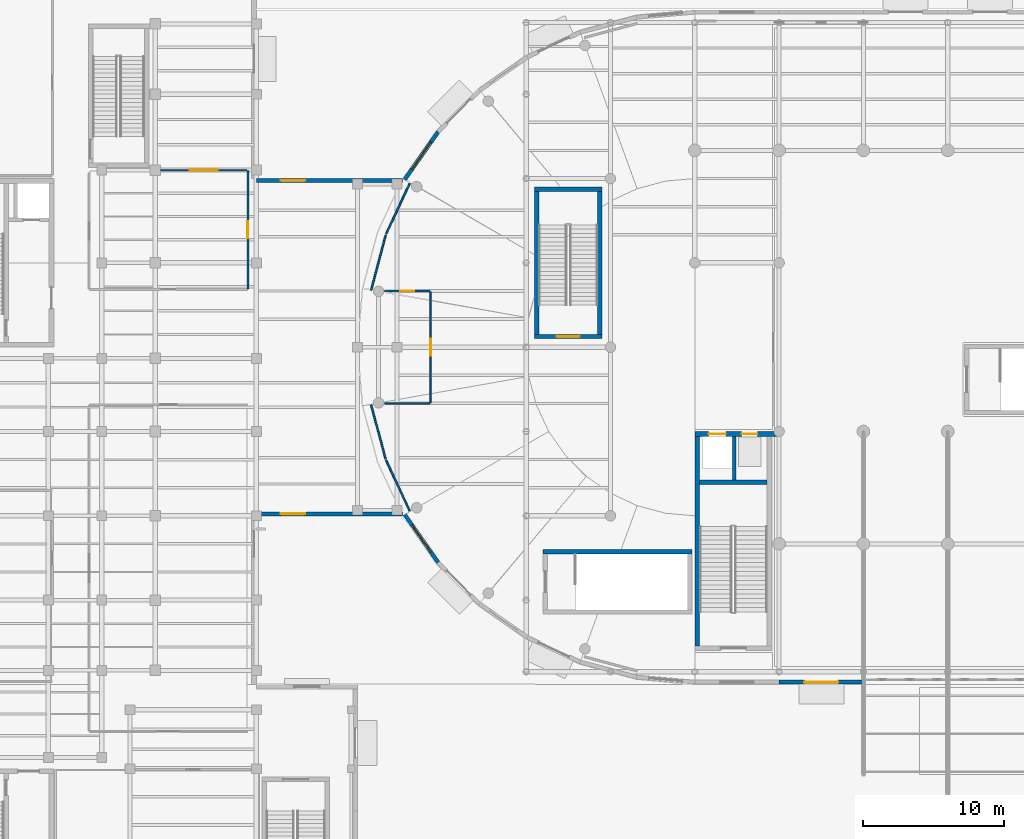
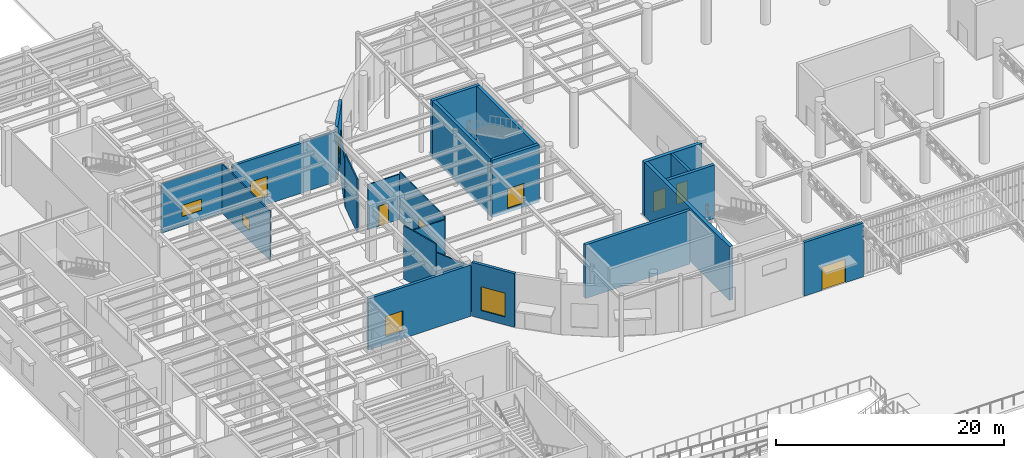
# One storey, part 89 of 118: 23 walls, 7 windows, 5 doors, 12 openings.
"""IFC4 building model written with IfcOpenShell, lengths in metres."""

import ifcopenshell
import ifcopenshell.guid

model = None  # the IFC model being written
_history = None  # IfcOwnerHistory: only IFC2X3 demands one
_inside = {}  # id of a spatial element -> (the spatial element, [elements in it])
_under = {}  # id of a project, library or spatial element -> (it, [spatial elements below it])
_declared = {}  # id of a project -> (the project, [libraries it declares])
_typed = {}  # id of a type object -> (the type object, [elements of that type])
_made_of = {}  # id of a material, layer set ... -> (it, [elements and type objects made of it])


def new_model(schema):
    """Start an empty IFC model of exactly this schema.

    Asked for "IFC4X3", IfcOpenShell would pick the latest addendum, in which some entities
    have other attributes; the version numbers below select the first issue.
    IFC2X3 requires an IfcOwnerHistory on every rooted entity: one is made here for all.
    """
    global model, _history
    if schema == "IFC4X3":
        model = ifcopenshell.file(schema_version=(4, 3, 0, 0))
    else:
        model = ifcopenshell.file(schema=schema)
    _inside.clear()
    _under.clear()
    _declared.clear()
    _typed.clear()
    _made_of.clear()
    _history = None
    if model.schema == "IFC2X3":
        org = make("IfcOrganization", Name="unknown")
        user = make(
            "IfcPersonAndOrganization",
            ThePerson=make("IfcPerson", FamilyName="unknown"),
            TheOrganization=org,
        )
        app = make(
            "IfcApplication",
            ApplicationDeveloper=org,
            Version="unknown",
            ApplicationFullName="unknown",
            ApplicationIdentifier="unknown",
        )
        _history = make(
            "IfcOwnerHistory",
            OwningUser=user,
            OwningApplication=app,
            ChangeAction="ADDED",
            CreationDate=0,
        )
    return model


def make(cls, **values):
    """One entity of the class cls with the attributes given. An attribute that is None is left unset."""
    return model.create_entity(
        cls, **{name: value for name, value in values.items() if value is not None}
    )


def rooted(cls, **values):
    """An entity with a GlobalId (a new one), such as an element, a storey or a relation."""
    return make(cls, GlobalId=ifcopenshell.guid.new(), OwnerHistory=_history, **values)


def si_unit(unit_type, name, prefix=None):
    """IfcSIUnit, for example si_unit("LENGTHUNIT", "METRE", prefix="MILLI")."""
    return make("IfcSIUnit", UnitType=unit_type, Prefix=prefix, Name=name)


def assignment(units):
    """IfcUnitAssignment: the units of a project."""
    return None if units is None else make("IfcUnitAssignment", Units=units)


def point(xyz):
    """IfcCartesianPoint."""
    return None if xyz is None else make("IfcCartesianPoint", Coordinates=xyz)


def direction(xyz):
    """IfcDirection."""
    return None if xyz is None else make("IfcDirection", DirectionRatios=xyz)


def frame(location, z_axis=None, x_axis=None):
    """IfcAxis2Placement3D, a coordinate frame: its origin and axes. An axis left out is left unset."""
    return make(
        "IfcAxis2Placement3D",
        Location=point(location),
        Axis=direction(z_axis),
        RefDirection=direction(x_axis),
    )


def frame_2d(location, x_axis=None):
    """IfcAxis2Placement2D, a coordinate frame in the plane: its origin and x axis."""
    return make(
        "IfcAxis2Placement2D", Location=point(location), RefDirection=direction(x_axis)
    )


def origin():
    """The frame at (0, 0, 0) with its axes left unset."""
    return frame((0.0, 0.0, 0.0))


def place(relative_to, where):
    """IfcLocalPlacement: puts the frame where relative to a parent placement (None: the world)."""
    return make(
        "IfcLocalPlacement", PlacementRelTo=relative_to, RelativePlacement=where
    )


def context(
    kind, dimensions, precision=None, world=None, true_north=None, identifier=None
):
    """IfcGeometricRepresentationContext, for example the 3D "Model" context."""
    return make(
        "IfcGeometricRepresentationContext",
        ContextIdentifier=identifier,
        ContextType=kind,
        CoordinateSpaceDimension=dimensions,
        Precision=precision,
        WorldCoordinateSystem=world,
        TrueNorth=true_north,
    )


def subcontext(parent, identifier, kind, view, scale=None):
    """IfcGeometricRepresentationSubContext, for example "Body" below "Model"."""
    return make(
        "IfcGeometricRepresentationSubContext",
        ContextIdentifier=identifier,
        ContextType=kind,
        ParentContext=parent,
        TargetScale=scale,
        TargetView=view,
    )


def project(units=None, contexts=None):
    """IfcProject with its units and contexts."""
    return rooted(
        "IfcProject",
        Name="project",
        RepresentationContexts=contexts,
        UnitsInContext=assignment(units),
    )


def spatial(cls, under=None, at=None, **own):
    """A site, building, storey or space (cls), placed at a placement, below another one or the project."""
    s = rooted(cls, ObjectPlacement=at, **own)
    if under is not None:
        _under.setdefault(under.id(), (under, []))[1].append(s)
    return s


def profile(cls, at=None, kind="AREA", **sizes):
    """A parametric profile (cls). Its sizes go by their IFC names, for example OverallWidth=200.0."""
    return make(cls, ProfileType=kind, Position=at, **sizes)


def rectangle(**sizes):
    """IfcRectangleProfileDef."""
    return profile("IfcRectangleProfileDef", **sizes)


def extrude(swept, where, along, depth):
    """IfcExtrudedAreaSolid: the profile swept, set in the frame where, extruded along a direction by depth."""
    return make(
        "IfcExtrudedAreaSolid",
        SweptArea=swept,
        Position=where,
        ExtrudedDirection=direction(along),
        Depth=depth,
    )


def shape(context_of_items, identifier, shape_type, items):
    """IfcShapeRepresentation: the items that make up one representation, for example the "Body"."""
    return make(
        "IfcShapeRepresentation",
        ContextOfItems=context_of_items,
        RepresentationIdentifier=identifier,
        RepresentationType=shape_type,
        Items=items,
    )


def material(Name=None, Category=None):
    """IfcMaterial."""
    return make("IfcMaterial", Name=Name, Category=Category)


def layer(
    of_material, thickness, ventilated=None, Name=None, Category=None, Priority=None
):
    """IfcMaterialLayer: one layer of a wall or slab, of a material (None: an air gap)."""
    return make(
        "IfcMaterialLayer",
        Material=of_material,
        LayerThickness=thickness,
        IsVentilated=ventilated,
        Name=Name,
        Category=Category,
        Priority=Priority,
    )


def layer_set(layers, Name=None):
    """IfcMaterialLayerSet."""
    return make("IfcMaterialLayerSet", MaterialLayers=layers, LayerSetName=Name)


def made_of(thing, what):
    """Note that an element or type object is made of a material, layer set ...; save() writes the relation."""
    if what is not None:
        _made_of.setdefault(what.id(), (what, []))[1].append(thing)
    return thing


def type_object(cls, material=None, **own):
    """A type object (cls), such as IfcWallType, which elements share."""
    return made_of(rooted(cls, **own), material)


def element(
    cls,
    number,
    at=None,
    inside=None,
    cuts=None,
    type_object=None,
    material=None,
    context=None,
    identifier="Body",
    shape_type=None,
    held_by="IfcProductDefinitionShape",
    body=None,
    shapes=None,
    **own,
):
    """One element of the class cls, such as IfcWall. Its Tag is "e" and its number.

    at: its placement. inside: the storey or other place that contains it. cuts: it is an
    opening in that element (IfcRelVoidsElement). A single representation is given by context,
    identifier, shape_type and body (its items); several are given by shapes. held_by: the class
    of the entity that holds the representations. save() writes the other relations.
    """
    e = rooted(cls, Tag="e%d" % number, ObjectPlacement=at, **own)
    if body is not None:
        shapes = [shape(context, identifier, shape_type, body)]
    if shapes is not None:
        e.Representation = make(held_by, Representations=shapes)
    if inside is not None:
        _inside.setdefault(inside.id(), (inside, []))[1].append(e)
    if cuts is not None:
        rooted(
            "IfcRelVoidsElement", RelatingBuildingElement=cuts, RelatedOpeningElement=e
        )
    if type_object is not None:
        _typed.setdefault(type_object.id(), (type_object, []))[1].append(e)
    return made_of(e, material)


def fill(opening, filler):
    """IfcRelFillsElement: the door or window that sits in an opening."""
    return rooted(
        "IfcRelFillsElement",
        RelatingOpeningElement=opening,
        RelatedBuildingElement=filler,
    )


def aggregate(whole, parts):
    """IfcRelAggregates: a whole, such as a stair, and the parts it consists of."""
    return rooted("IfcRelAggregates", RelatingObject=whole, RelatedObjects=parts)


def save(model, path):
    """Write the relations noted so far, then the file.

    IfcRelAggregates (storeys below a building ...), IfcRelContainedInSpatialStructure (elements
    in a storey), IfcRelDefinesByType, IfcRelAssociatesMaterial and IfcRelDeclares: one each for
    every whole, place, type object, material and project.
    """
    for whole, parts in _under.values():
        aggregate(whole, parts)
    for where, things in _inside.values():
        rooted(
            "IfcRelContainedInSpatialStructure",
            RelatedElements=things,
            RelatingStructure=where,
        )
    for kind, things in _typed.values():
        rooted("IfcRelDefinesByType", RelatedObjects=things, RelatingType=kind)
    for what, things in _made_of.values():
        rooted("IfcRelAssociatesMaterial", RelatedObjects=things, RelatingMaterial=what)
    for by, libraries in _declared.values():
        rooted("IfcRelDeclares", RelatingContext=by, RelatedDefinitions=libraries)
    model.write(path)


model = new_model("IFC4")

# Units and contexts
model_context = context("Model", 3, precision=1e-05, world=origin(), true_north=direction((0.0, 1.0)))
body_context = subcontext(model_context, "Body", "Model", "MODEL_VIEW")
ifc_project = project(units=[si_unit("LENGTHUNIT", "METRE"), si_unit("AREAUNIT", "SQUARE_METRE"), si_unit("VOLUMEUNIT", "CUBIC_METRE"), si_unit("PLANEANGLEUNIT", "RADIAN"), si_unit("MASSUNIT", "GRAM", prefix="KILO")], contexts=[model_context])

# Site, building, storey
site_placement = place(None, origin())
site = spatial("IfcSite", under=ifc_project, at=site_placement, CompositionType="ELEMENT")
building_placement = place(site_placement, origin())
building = spatial("IfcBuilding", under=site, at=building_placement, Name="Kolvaren Corner Interchange", CompositionType="ELEMENT")
storey_placement = place(building_placement, origin())
storey = spatial("IfcBuildingStorey", under=building, at=storey_placement, Name="L01", CompositionType="ELEMENT", Elevation=0.0)

# Wall, openings, doors
ifc_material_1 = material(Name="Concrete C35/45", Category="concrete")
ifc_layer_1 = layer(ifc_material_1, 0.35009765625)
ifc_layer_set_1 = layer_set([ifc_layer_1], Name="Concrete C35/45")
wall_type_1 = type_object("IfcWallType", Name="WL-CORE-350", PredefinedType="SHEAR", material=ifc_layer_set_1)
wall_1_placement = place(storey_placement, frame((60.0, 41.824951171875, 0.0), z_axis=(0.0, 0.0, 1.0), x_axis=(1.0, 0.0, 0.0)))
wall_1 = element("IfcWall", 1, at=wall_1_placement, inside=storey, type_object=wall_type_1, Name="Core C3 L01 North Shear Wall", PredefinedType="SHEAR", context=body_context, shape_type="SweptSolid", body=[
    extrude(rectangle(XDim=5.820068359375, YDim=0.35009765625, at=frame_2d((2.91015625, 0.0))), origin(), (0.0, 0.0, 1.0), 5.75),
])
opening_1_placement = place(wall_1_placement, frame((0.989990234375, 0.0, 0.0)))
opening_1 = element("IfcOpeningElement", 2, at=opening_1_placement, cuts=wall_1, Name="Opening LD-LF-P1-L01", PredefinedType="OPENING", context=body_context, shape_type="SweptSolid", body=[
    extrude(rectangle(XDim=1.219970703125, YDim=2.14990234375, at=frame_2d((0.60986328125, 1.074951171875))), frame((0.0, 0.18505859375, 0.0), z_axis=(0.0, -1.0, 0.0), x_axis=(1.0, 0.0, 0.0)), (0.0, 0.0, 1.0), 0.3701171875),
])
opening_2_placement = place(wall_1_placement, frame((3.340087890625, 0.0, 0.0)))
opening_2 = element("IfcOpeningElement", 3, at=opening_2_placement, cuts=wall_1, Name="Opening LD-LF-P3-L01", PredefinedType="OPENING", context=body_context, shape_type="SweptSolid", body=[
    extrude(rectangle(XDim=1.1201171875, YDim=2.14990234375, at=frame_2d((0.56005859375, 1.074951171875))), frame((0.0, 0.18505859375, 0.0), z_axis=(0.0, -1.0, 0.0), x_axis=(1.0, 0.0, 0.0)), (0.0, 0.0, 1.0), 0.3701171875),
])
ifc_material_2 = material(Name="Brushed Stainless Steel Landing Door", Category="steel")
door_type_1 = type_object("IfcDoorType", Name="DT-LIFT-1120", OperationType="NOTDEFINED", PredefinedType="DOOR", material=ifc_material_2)
door_1_placement = place(opening_2_placement, origin())
door_1 = element("IfcDoor", 4, at=door_1_placement, inside=storey, type_object=door_type_1, Name="Passenger Lift LF P3 L01 Sliding Landing Door", OperationType="SLIDING_TO_LEFT", OverallHeight=2.14990234375, OverallWidth=1.1201171875, PredefinedType="DOOR", context=body_context, shape_type="SweptSolid", body=[
    extrude(rectangle(XDim=1.1201171875, YDim=2.14990234375, at=frame_2d((0.56005859375, 1.074951171875))), frame((0.0, 0.02490234375, 0.0), z_axis=(0.0, -1.0, 0.0), x_axis=(1.0, 0.0, 0.0)), (0.0, 0.0, 1.0), 0.050048828125),
])
fill(opening_2, door_1)
ifc_material_3 = material(Name="Brushed Stainless Steel Landing Door", Category="steel")
door_type_2 = type_object("IfcDoorType", Name="DT-LIFT-1220", OperationType="NOTDEFINED", PredefinedType="DOOR", material=ifc_material_3)
door_2_placement = place(opening_1_placement, origin())
door_2 = element("IfcDoor", 5, at=door_2_placement, inside=storey, type_object=door_type_2, Name="Passenger Lift LF P1 L01 Sliding Landing Door", OperationType="DOUBLE_DOOR_SLIDING", OverallHeight=2.14990234375, OverallWidth=1.219970703125, PredefinedType="DOOR", context=body_context, shape_type="SweptSolid", body=[
    extrude(rectangle(XDim=1.219970703125, YDim=2.14990234375, at=frame_2d((0.60986328125, 1.074951171875))), frame((0.0, 0.02490234375, 0.0), z_axis=(0.0, -1.0, 0.0), x_axis=(1.0, 0.0, 0.0)), (0.0, 0.0, 1.0), 0.050048828125),
])
fill(opening_1, door_2)

# Walls
wall_2_placement = place(storey_placement, frame((60.175048828125, 26.75, 0.0), z_axis=(0.0, 0.0, 1.0), x_axis=(0.0, 1.0, 0.0)))
element("IfcWall", 6, at=wall_2_placement, inside=storey, type_object=wall_type_1, Name="Core C3 L01 West Shear Wall", PredefinedType="SHEAR", context=body_context, shape_type="SweptSolid", body=[
    extrude(rectangle(XDim=14.89990234375, YDim=0.35009765625, at=frame_2d((7.449951171875, 0.0))), origin(), (0.0, 0.0, 1.0), 5.75),
])
ifc_material_4 = material(Name="Concrete C35/45", Category="concrete")
ifc_layer_2 = layer(ifc_material_4, 0.31005859375)
ifc_layer_set_2 = layer_set([ifc_layer_2], Name="Concrete C35/45")
wall_type_2 = type_object("IfcWallType", Name="WL-STAIR-300", PredefinedType="SHEAR", material=ifc_layer_set_2)
wall_3_placement = place(storey_placement, frame((60.35009765625, 38.39990234375, 0.0), z_axis=(0.0, 0.0, 1.0), x_axis=(1.0, 0.0, 0.0)))
element("IfcWall", 7, at=wall_3_placement, inside=storey, type_object=wall_type_2, Name="Core C3 L01 Lift and Stairwell Divider Wall", PredefinedType="SHEAR", context=body_context, shape_type="SweptSolid", body=[
    extrude(rectangle(XDim=4.7998046875, YDim=0.31005859375, at=frame_2d((2.39990234375, 0.0))), origin(), (0.0, 0.0, 1.0), 5.75),
])
wall_4_placement = place(storey_placement, frame((49.199951171875, 33.445068359375, 0.0), z_axis=(0.0, 0.0, 1.0), x_axis=(1.0, 0.0, 0.0)))
element("IfcWall", 8, at=wall_4_placement, inside=storey, type_object=wall_type_2, Name="Metro West Plant and Gateline Exit Stair L01 North Enclosure Wall", PredefinedType="SHEAR", context=body_context, shape_type="SweptSolid", body=[
    extrude(rectangle(XDim=10.60009765625, YDim=0.31005859375, at=frame_2d((5.300048828125, 0.0))), origin(), (0.0, 0.0, 1.0), 5.75),
])

# Wall, opening, door
wall_5_placement = place(storey_placement, frame((48.60009765625, 48.7548828125, -0.39990234375), z_axis=(0.0, 0.0, 1.0), x_axis=(1.0, 0.0, 0.0)))
wall_5 = element("IfcWall", 9, at=wall_5_placement, inside=storey, type_object=wall_type_2, Name="West Racetrack Concourse Gallery Stair L01 South Enclosure Wall", PredefinedType="SHEAR", context=body_context, shape_type="SweptSolid", body=[
    extrude(rectangle(XDim=4.7998046875, YDim=0.31005859375, at=frame_2d((2.39990234375, 0.0))), origin(), (0.0, 0.0, 1.0), 6.14990234375),
])
opening_3_placement = place(wall_5_placement, frame((1.574951171875, 0.0, 0.39990234375)))
opening_3 = element("IfcOpeningElement", 10, at=opening_3_placement, cuts=wall_5, Name="Opening D-F06", PredefinedType="OPENING", context=body_context, shape_type="SweptSolid", body=[
    extrude(rectangle(XDim=1.64990234375, YDim=2.14990234375, at=frame_2d((0.824951171875, 1.074951171875))), frame((0.0, 0.1650390625, 0.0), z_axis=(0.0, -1.0, 0.0), x_axis=(1.0, 0.0, 0.0)), (0.0, 0.0, 1.0), 0.330078125),
])
ifc_material_5 = material(Name="Powder-coated Fire-rated Steel Sheet", Category="steel")
door_type_3 = type_object("IfcDoorType", Name="DT-FD-1650x2150", OperationType="NOTDEFINED", PredefinedType="DOOR", material=ifc_material_5)
door_3_placement = place(opening_3_placement, origin())
door_3 = element("IfcDoor", 11, at=door_3_placement, inside=storey, type_object=door_type_3, Name="West Racetrack Concourse Gallery Stair L01 Protected Exit Door", OperationType="DOUBLE_DOOR_SINGLE_SWING", OverallHeight=2.14990234375, OverallWidth=1.64990234375, PredefinedType="DOOR", context=body_context, shape_type="SweptSolid", body=[
    extrude(rectangle(XDim=1.64990234375, YDim=2.14990234375, at=frame_2d((0.824951171875, 1.074951171875))), frame((0.0, 0.02490234375, 0.0), z_axis=(0.0, -1.0, 0.0), x_axis=(1.0, 0.0, 0.0)), (0.0, 0.0, 1.0), 0.050048828125),
])
fill(opening_3, door_3)

# Walls
wall_6_placement = place(storey_placement, frame((48.60009765625, 59.2451171875, -0.39990234375), z_axis=(0.0, 0.0, 1.0), x_axis=(1.0, 0.0, 0.0)))
element("IfcWall", 12, at=wall_6_placement, inside=storey, type_object=wall_type_2, Name="West Racetrack Concourse Gallery Stair L01 North Enclosure Wall", PredefinedType="SHEAR", context=body_context, shape_type="SweptSolid", body=[
    extrude(rectangle(XDim=4.7998046875, YDim=0.31005859375, at=frame_2d((2.39990234375, 0.0))), origin(), (0.0, 0.0, 1.0), 6.14990234375),
])
for number, where, z_axis, x_axis, name in (
    (13, (48.7548828125, 48.909912109375, -0.39990234375), (0.0, 0.0, 1.0), (0.0, 1.0, 0.0), "West Racetrack Concourse Gallery Stair L01 West Enclosure Wall"),
    (14, (53.2451171875, 48.909912109375, -0.39990234375), (0.0, 0.0, 1.0), (0.0, 1.0, 0.0), "West Racetrack Concourse Gallery Stair L01 East Enclosure Wall"),
):
    element("IfcWall", number, at=place(storey_placement, frame(where, z_axis=z_axis, x_axis=x_axis)), inside=storey, type_object=wall_type_2, Name=name, PredefinedType="SHEAR", context=body_context, shape_type="SweptSolid", body=[
        extrude(rectangle(XDim=10.18017578125, YDim=0.31005859375, at=frame_2d((5.090087890625, 0.0))), origin(), (0.0, 0.0, 1.0), 6.14990234375),
    ])

# Wall, opening, window
ifc_material_6 = material(Name="White Glazed Ceramic Terracotta Band Assembly", Category="masonry")
ifc_layer_3 = layer(ifc_material_6, 0.280029296875)
ifc_layer_set_3 = layer_set([ifc_layer_3], Name="White Glazed Ceramic Terracotta Band Assembly")
wall_type_3 = type_object("IfcWallType", Name="WT-EXT-WHT280", PredefinedType="SOLIDWALL", material=ifc_layer_set_3)
wall_7_placement = place(storey_placement, frame((28.800048828125, 36.139892578125, 0.0), z_axis=(0.0, 0.0, 1.0), x_axis=(1.0, 0.0, 0.0)))
wall_7 = element("IfcWall", 15, at=wall_7_placement, inside=storey, type_object=wall_type_3, Name="West Concourse Link South Wall 0059", PredefinedType="SOLIDWALL", context=body_context, shape_type="SweptSolid", body=[
    extrude(rectangle(XDim=10.39990234375, YDim=0.280029296875, at=frame_2d((5.199951171875, 0.0))), origin(), (0.0, 0.0, 1.0), 5.485107421875),
])
opening_4_placement = place(wall_7_placement, frame((1.72509765625, 0.0, 0.85009765625)))
opening_4 = element("IfcOpeningElement", 16, at=opening_4_placement, cuts=wall_7, Name="Opening W-21", PredefinedType="OPENING", context=body_context, shape_type="SweptSolid", body=[
    extrude(rectangle(XDim=1.75, YDim=2.14990234375, at=frame_2d((0.875, 1.074951171875))), frame((0.0, 0.14990234375, 0.0), z_axis=(0.0, -1.0, 0.0), x_axis=(1.0, 0.0, 0.0)), (0.0, 0.0, 1.0), 0.300048828125),
])
ifc_material_7 = material(Name="Thermally Broken Aluminium and Solar-Control Double Glazing", Category="aluminium")
window_type_1 = type_object("IfcWindowType", Name="WT-ARC-1750x2150", PartitioningType="DOUBLE_PANEL_VERTICAL", PredefinedType="WINDOW", material=ifc_material_7)
window_1_placement = place(opening_4_placement, origin())
window_1 = element("IfcWindow", 17, at=window_1_placement, inside=storey, type_object=window_type_1, Name="L01 West Concourse Link South Window 0143", OverallHeight=2.14990234375, OverallWidth=1.75, PartitioningType="SINGLE_PANEL", PredefinedType="WINDOW", context=body_context, shape_type="SweptSolid", body=[
    extrude(rectangle(XDim=1.75, YDim=2.14990234375, at=frame_2d((0.875, 1.074951171875))), frame((0.0, 0.030029296875, 0.0), z_axis=(0.0, -1.0, 0.0), x_axis=(1.0, 0.0, 0.0)), (0.0, 0.0, 1.0), 0.06005859375),
])
fill(opening_4, window_1)

wall_8_placement = place(storey_placement, frame((39.199951171875, 59.860107421875, 0.0), z_axis=(0.0, 0.0, 1.0), x_axis=(-1.0, 0.0, 0.0)))
wall_8 = element("IfcWall", 18, at=wall_8_placement, inside=storey, type_object=wall_type_3, Name="West Concourse Link North Wall 0060", PredefinedType="SOLIDWALL", context=body_context, shape_type="SweptSolid", body=[
    extrude(rectangle(XDim=10.39990234375, YDim=0.280029296875, at=frame_2d((5.199951171875, 0.0))), origin(), (0.0, 0.0, 1.0), 5.344970703125),
])
opening_5_placement = place(wall_8_placement, frame((6.925048828125, 0.0, 0.85009765625)))
opening_5 = element("IfcOpeningElement", 19, at=opening_5_placement, cuts=wall_8, Name="Opening W-21", PredefinedType="OPENING", context=body_context, shape_type="SweptSolid", body=[
    extrude(rectangle(XDim=1.75, YDim=2.14990234375, at=frame_2d((0.875, 1.074951171875))), frame((0.0, 0.14990234375, 0.0), z_axis=(0.0, -1.0, 0.0), x_axis=(1.0, 0.0, 0.0)), (0.0, 0.0, 1.0), 0.300048828125),
])
window_2_placement = place(opening_5_placement, origin())
window_2 = element("IfcWindow", 20, at=window_2_placement, inside=storey, type_object=window_type_1, Name="L01 West Concourse Link North Window 0144", OverallHeight=2.14990234375, OverallWidth=1.75, PartitioningType="SINGLE_PANEL", PredefinedType="WINDOW", context=body_context, shape_type="SweptSolid", body=[
    extrude(rectangle(XDim=1.75, YDim=2.14990234375, at=frame_2d((0.875, 1.074951171875))), frame((0.0, 0.030029296875, 0.0), z_axis=(0.0, -1.0, 0.0), x_axis=(1.0, 0.0, 0.0)), (0.0, 0.0, 1.0), 0.06005859375),
])
fill(opening_5, window_2)

wall_9_placement = place(storey_placement, frame((41.737548828125, 63.32421875, 0.0), z_axis=(0.0, 0.0, 1.0), x_axis=(-0.573549082007, -0.819171197327, 0.0)))
wall_9 = element("IfcWall", 21, at=wall_9_placement, inside=storey, type_object=wall_type_3, Name="Racetrack West Curved Drum Chord 06 Wall 0070", PredefinedType="SOLIDWALL", context=body_context, shape_type="SweptSolid", body=[
    extrude(rectangle(XDim=4.15576171875, YDim=0.280029296875, at=frame_2d((2.077880859375, 0.0))), origin(), (0.0, 0.0, 1.0), 5.75),
])
opening_6_placement = place(wall_9_placement, frame((0.90283203125, 0.0, 0.85009765625)))
opening_6 = element("IfcOpeningElement", 22, at=opening_6_placement, cuts=wall_9, Name="Opening W-15", PredefinedType="OPENING", context=body_context, shape_type="SweptSolid", body=[
    extrude(rectangle(XDim=2.35009765625, YDim=2.550048828125, at=frame_2d((1.175048828125, 1.27490234375))), frame((0.0, 0.14990234375, 0.0), z_axis=(0.0, -1.0, 0.0), x_axis=(1.0, 0.0, 0.0)), (0.0, 0.0, 1.0), 0.300048828125),
])
ifc_material_8 = material(Name="Thermally Broken Aluminium and Solar-Control Double Glazing", Category="aluminium")
window_type_2 = type_object("IfcWindowType", Name="WT-ARC-2350x2550", PartitioningType="TRIPLE_PANEL_HORIZONTAL", PredefinedType="WINDOW", material=ifc_material_8)
window_3_placement = place(opening_6_placement, origin())
window_3 = element("IfcWindow", 23, at=window_3_placement, inside=storey, type_object=window_type_2, Name="L01 Racetrack West Curved Drum Chord 06 Window 0151", OverallHeight=2.550048828125, OverallWidth=2.35009765625, PartitioningType="SINGLE_PANEL", PredefinedType="WINDOW", context=body_context, shape_type="SweptSolid", body=[
    extrude(rectangle(XDim=2.35009765625, YDim=2.550048828125, at=frame_2d((1.175048828125, 1.27490234375))), frame((0.0, 0.030029296875, 0.0), z_axis=(0.0, -1.0, 0.0), x_axis=(1.0, 0.0, 0.0)), (0.0, 0.0, 1.0), 0.06005859375),
])
fill(opening_6, window_3)

wall_10_placement = place(storey_placement, frame((39.35400390625, 36.080078125, 0.0), z_axis=(0.0, 0.0, 1.0), x_axis=(0.573549082007, -0.819171197327, 0.0)))
wall_10 = element("IfcWall", 24, at=wall_10_placement, inside=storey, type_object=wall_type_3, Name="Racetrack West Curved Drum Chord 13 Wall 0071", PredefinedType="SOLIDWALL", context=body_context, shape_type="SweptSolid", body=[
    extrude(rectangle(XDim=4.15576171875, YDim=0.280029296875, at=frame_2d((2.077880859375, 0.0))), origin(), (0.0, 0.0, 1.0), 5.75),
])
opening_7_placement = place(wall_10_placement, frame((0.90283203125, 0.0, 0.85009765625)))
opening_7 = element("IfcOpeningElement", 25, at=opening_7_placement, cuts=wall_10, Name="Opening W-15", PredefinedType="OPENING", context=body_context, shape_type="SweptSolid", body=[
    extrude(rectangle(XDim=2.35009765625, YDim=2.550048828125, at=frame_2d((1.175048828125, 1.27490234375))), frame((0.0, 0.14990234375, 0.0), z_axis=(0.0, -1.0, 0.0), x_axis=(1.0, 0.0, 0.0)), (0.0, 0.0, 1.0), 0.300048828125),
])
window_4_placement = place(opening_7_placement, origin())
window_4 = element("IfcWindow", 26, at=window_4_placement, inside=storey, type_object=window_type_2, Name="L01 Racetrack West Curved Drum Chord 13 Window 0152", OverallHeight=2.550048828125, OverallWidth=2.35009765625, PartitioningType="SINGLE_PANEL", PredefinedType="WINDOW", context=body_context, shape_type="SweptSolid", body=[
    extrude(rectangle(XDim=2.35009765625, YDim=2.550048828125, at=frame_2d((1.175048828125, 1.27490234375))), frame((0.0, 0.030029296875, 0.0), z_axis=(0.0, -1.0, 0.0), x_axis=(1.0, 0.0, 0.0)), (0.0, 0.0, 1.0), 0.06005859375),
])
fill(opening_7, window_4)

# Wall, opening, door
wall_11_placement = place(storey_placement, frame((66.0, 24.159912109375, 0.0), z_axis=(0.0, 0.0, 1.0), x_axis=(1.0, 0.0, 0.0)))
wall_11 = element("IfcWall", 27, at=wall_11_placement, inside=storey, type_object=wall_type_3, Name="South Portal Flank West Wall 0151", PredefinedType="SOLIDWALL", context=body_context, shape_type="SweptSolid", body=[
    extrude(rectangle(XDim=6.0, YDim=0.280029296875, at=frame_2d((3.0, 0.0))), origin(), (0.0, 0.0, 1.0), 5.75),
])
opening_8_placement = place(wall_11_placement, frame((1.800048828125, 0.0, 0.0)))
opening_8 = element("IfcOpeningElement", 28, at=opening_8_placement, cuts=wall_11, Name="Opening D-E01", PredefinedType="OPENING", context=body_context, shape_type="SweptSolid", body=[
    extrude(rectangle(XDim=2.39990234375, YDim=2.5, at=frame_2d((1.199951171875, 1.25))), frame((0.0, 0.14990234375, 0.0), z_axis=(0.0, -1.0, 0.0), x_axis=(1.0, 0.0, 0.0)), (0.0, 0.0, 1.0), 0.300048828125),
])
ifc_material_9 = material(Name="Anodised Aluminium and Laminated Safety Glass", Category="aluminium")
door_type_4 = type_object("IfcDoorType", Name="DT-EXT-DBL2400", OperationType="NOTDEFINED", PredefinedType="DOOR", material=ifc_material_9)
door_4_placement = place(opening_8_placement, origin())
door_4 = element("IfcDoor", 29, at=door_4_placement, inside=storey, type_object=door_type_4, Name="L01 South Portal Flank West Grand Exit Door 018", OperationType="DOUBLE_DOOR_SINGLE_SWING", OverallHeight=2.5, OverallWidth=2.39990234375, PredefinedType="DOOR", context=body_context, shape_type="SweptSolid", body=[
    extrude(rectangle(XDim=2.39990234375, YDim=2.5, at=frame_2d((1.199951171875, 1.25))), frame((0.0, 0.02490234375, 0.0), z_axis=(0.0, -1.0, 0.0), x_axis=(1.0, 0.0, 0.0)), (0.0, 0.0, 1.0), 0.050048828125),
])
fill(opening_8, door_4)

# Wall
ifc_material_10 = material(Name="Standard Metal-Stud Drywall Partition")
ifc_layer_4 = layer(ifc_material_10, 0.1201171875)
ifc_layer_set_4 = layer_set([ifc_layer_4], Name="Standard Metal-Stud Drywall Partition")
wall_type_4 = type_object("IfcWallType", Name="WT-PART-ST125", PredefinedType="PARTITIONING", material=ifc_layer_set_4)
wall_12_placement = place(storey_placement, frame((37.998291015625, 55.955078125, 0.0), z_axis=(0.0, 0.0, 1.0), x_axis=(-0.256184766592, -0.966627831881, 0.0)))
element("IfcWall", 30, at=wall_12_placement, inside=storey, type_object=wall_type_4, Name="L01 Ticket Hall and Metro Gateline Partition Wall 028", PredefinedType="PARTITIONING", context=body_context, shape_type="SweptSolid", body=[
    extrude(rectangle(XDim=4.04150390625, YDim=0.1201171875, at=frame_2d((2.020751953125, 0.0))), origin(), (0.0, 0.0, 1.0), 5.719970703125),
])

# Wall, opening, door
wall_13_placement = place(storey_placement, frame((37.931884765625, 52.0, 0.0), z_axis=(0.0, 0.0, 1.0), x_axis=(1.0, 0.0, 0.0)))
wall_13 = element("IfcWall", 31, at=wall_13_placement, inside=storey, type_object=wall_type_4, Name="L01 Ticket Hall and Metro Gateline Partition Wall 029", PredefinedType="PARTITIONING", context=body_context, shape_type="SweptSolid", body=[
    extrude(rectangle(XDim=3.218017578125, YDim=0.1201171875, at=frame_2d((1.60888671875, 0.0))), origin(), (0.0, 0.0, 1.0), 4.8349609375),
])
opening_9_placement = place(wall_13_placement, frame((1.118896484375, 0.0, 0.0)))
opening_9 = element("IfcOpeningElement", 32, at=opening_9_placement, cuts=wall_13, Name="Opening D-I03", PredefinedType="OPENING", context=body_context, shape_type="SweptSolid", body=[
    extrude(rectangle(XDim=0.97998046875, YDim=2.14990234375, at=frame_2d((0.489990234375, 1.074951171875))), frame((0.0, 0.070068359375, 0.0), z_axis=(0.0, -1.0, 0.0), x_axis=(1.0, 0.0, 0.0)), (0.0, 0.0, 1.0), 0.14013671875),
])
ifc_material_11 = material(Name="Solid-Core Iroko Timber Door", Category="wood")
door_type_5 = type_object("IfcDoorType", Name="DT-INT-980x2150", OperationType="NOTDEFINED", PredefinedType="DOOR", material=ifc_material_11)
door_5_placement = place(opening_9_placement, origin())
door_5 = element("IfcDoor", 33, at=door_5_placement, inside=storey, type_object=door_type_5, Name="L01 Ticket Hall and Metro Gateline Door", OperationType="SINGLE_SWING_RIGHT", OverallHeight=2.14990234375, OverallWidth=0.97998046875, PredefinedType="DOOR", context=body_context, shape_type="SweptSolid", body=[
    extrude(rectangle(XDim=0.97998046875, YDim=2.14990234375, at=frame_2d((0.489990234375, 1.074951171875))), frame((0.0, 0.02490234375, 0.0), z_axis=(0.0, -1.0, 0.0), x_axis=(1.0, 0.0, 0.0)), (0.0, 0.0, 1.0), 0.050048828125),
])
fill(opening_9, door_5)

# Wall, opening, window
wall_14_placement = place(storey_placement, frame((41.199951171875, 51.93798828125, 0.0), z_axis=(0.0, 0.0, 1.0), x_axis=(0.0, -1.0, 0.0)))
wall_14 = element("IfcWall", 34, at=wall_14_placement, inside=storey, type_object=wall_type_4, Name="L01 Ticket Hall and Metro Gateline Partition Wall 030", PredefinedType="PARTITIONING", context=body_context, shape_type="SweptSolid", body=[
    extrude(rectangle(XDim=7.887939453125, YDim=0.1201171875, at=frame_2d((3.94384765625, 0.0))), origin(), (0.0, 0.0, 1.0), 5.094970703125),
])
opening_10_placement = place(wall_14_placement, frame((3.343994140625, 0.0, 1.050048828125)))
opening_10 = element("IfcOpeningElement", 35, at=opening_10_placement, cuts=wall_14, Name="Opening W-I04", PredefinedType="OPENING", context=body_context, shape_type="SweptSolid", body=[
    extrude(rectangle(XDim=1.199951171875, YDim=1.10009765625, at=frame_2d((0.60009765625, 0.550048828125))), frame((0.0, 0.070068359375, 0.0), z_axis=(0.0, -1.0, 0.0), x_axis=(1.0, 0.0, 0.0)), (0.0, 0.0, 1.0), 0.14013671875),
])
ifc_material_12 = material(Name="Acoustic Partition Vision Panel")
window_type_3 = type_object("IfcWindowType", Name="WT-INT-1200x1100", PartitioningType="SINGLE_PANEL", PredefinedType="WINDOW", material=ifc_material_12)
window_5_placement = place(opening_10_placement, origin())
window_5 = element("IfcWindow", 36, at=window_5_placement, inside=storey, type_object=window_type_3, Name="L01 Interior Vision Glazing 12", OverallHeight=1.10009765625, OverallWidth=1.199951171875, PartitioningType="SINGLE_PANEL", PredefinedType="WINDOW", context=body_context, shape_type="SweptSolid", body=[
    extrude(rectangle(XDim=1.199951171875, YDim=1.10009765625, at=frame_2d((0.60009765625, 0.550048828125))), frame((0.0, 0.030029296875, 0.0), z_axis=(0.0, -1.0, 0.0), x_axis=(1.0, 0.0, 0.0)), (0.0, 0.0, 1.0), 0.06005859375),
])
fill(opening_10, window_5)

# Walls
wall_15_placement = place(storey_placement, frame((41.137939453125, 44.0, 0.0), z_axis=(0.0, 0.0, 1.0), x_axis=(-1.0, 0.0, 0.0)))
element("IfcWall", 37, at=wall_15_placement, inside=storey, type_object=wall_type_4, Name="L01 Ticket Hall and Metro Gateline Partition Wall 031", PredefinedType="PARTITIONING", context=body_context, shape_type="SweptSolid", body=[
    extrude(rectangle(XDim=3.2060546875, YDim=0.1201171875, at=frame_2d((1.60302734375, 0.0))), origin(), (0.0, 0.0, 1.0), 4.8349609375),
])
wall_16_placement = place(storey_placement, frame((36.968505859375, 43.88818359375, 0.0), z_axis=(0.0, 0.0, 1.0), x_axis=(0.258815828408, -0.965926688194, 0.0)))
element("IfcWall", 38, at=wall_16_placement, inside=storey, type_object=wall_type_4, Name="L01 Ticket Hall and Metro Gateline Partition Wall 032", PredefinedType="PARTITIONING", context=body_context, shape_type="SweptSolid", body=[
    extrude(rectangle(XDim=3.978759765625, YDim=0.1201171875, at=frame_2d((1.9892578125, 0.0))), origin(), (0.0, 0.0, 1.0), 5.719970703125),
])
for number, where, z_axis, x_axis, name in (
    (39, (38.0322265625, 39.951416015625, 0.0), (0.0, 0.0, 1.0), (0.422626808325, -0.90630380165, 0.0), "L01 Ticket Hall and Metro Gateline Partition Wall 033"),
    (40, (39.7138671875, 59.65478515625, 0.0), (0.0, 0.0, 1.0), (-0.422626808325, -0.90630380165, 0.0), "L01 Ticket Hall and Metro Gateline Partition Wall 038"),
):
    element("IfcWall", number, at=place(storey_placement, frame(where, z_axis=z_axis, x_axis=x_axis)), inside=storey, type_object=wall_type_4, Name=name, PredefinedType="PARTITIONING", context=body_context, shape_type="SweptSolid", body=[
        extrude(rectangle(XDim=3.97900390625, YDim=0.1201171875, at=frame_2d((1.989501953125, 0.0))), origin(), (0.0, 0.0, 1.0), 4.8349609375),
    ])

# Wall, opening, window
wall_17_placement = place(storey_placement, frame((28.199951171875, 52.162109375, 0.0), z_axis=(0.0, 0.0, 1.0), x_axis=(0.0, 1.0, 0.0)))
wall_17 = element("IfcWall", 41, at=wall_17_placement, inside=storey, type_object=wall_type_4, Name="L01 Community Exhibition Room Partition Wall 064", PredefinedType="PARTITIONING", context=body_context, shape_type="SweptSolid", body=[
    extrude(rectangle(XDim=8.387939453125, YDim=0.1201171875, at=frame_2d((4.19384765625, 0.0))), origin(), (0.0, 0.0, 1.0), 5.294921875),
])
opening_11_placement = place(wall_17_placement, frame((3.593994140625, 0.0, 1.050048828125)))
opening_11 = element("IfcOpeningElement", 42, at=opening_11_placement, cuts=wall_17, Name="Opening W-I04", PredefinedType="OPENING", context=body_context, shape_type="SweptSolid", body=[
    extrude(rectangle(XDim=1.199951171875, YDim=1.10009765625, at=frame_2d((0.60009765625, 0.550048828125))), frame((0.0, 0.070068359375, 0.0), z_axis=(0.0, -1.0, 0.0), x_axis=(1.0, 0.0, 0.0)), (0.0, 0.0, 1.0), 0.14013671875),
])
window_6_placement = place(opening_11_placement, origin())
window_6 = element("IfcWindow", 43, at=window_6_placement, inside=storey, type_object=window_type_3, Name="L01 Interior Vision Glazing 26", OverallHeight=1.10009765625, OverallWidth=1.199951171875, PartitioningType="SINGLE_PANEL", PredefinedType="WINDOW", context=body_context, shape_type="SweptSolid", body=[
    extrude(rectangle(XDim=1.199951171875, YDim=1.10009765625, at=frame_2d((0.60009765625, 0.550048828125))), frame((0.0, 0.030029296875, 0.0), z_axis=(0.0, -1.0, 0.0), x_axis=(1.0, 0.0, 0.0)), (0.0, 0.0, 1.0), 0.06005859375),
])
fill(opening_11, window_6)

wall_18_placement = place(storey_placement, frame((28.137939453125, 60.60009765625, 0.0), z_axis=(0.0, 0.0, 1.0), x_axis=(-1.0, 0.0, 0.0)))
wall_18 = element("IfcWall", 44, at=wall_18_placement, inside=storey, type_object=wall_type_4, Name="L01 Community Exhibition Room Partition Wall 065", PredefinedType="PARTITIONING", context=body_context, shape_type="SweptSolid", body=[
    extrude(rectangle(XDim=6.15283203125, YDim=0.1201171875, at=frame_2d((3.076416015625, 0.0))), origin(), (0.0, 0.0, 1.0), 5.294921875),
])
opening_12_placement = place(wall_18_placement, frame((2.076416015625, 0.0, 1.050048828125)))
opening_12 = element("IfcOpeningElement", 45, at=opening_12_placement, cuts=wall_18, Name="Opening W-I01", PredefinedType="OPENING", context=body_context, shape_type="SweptSolid", body=[
    extrude(rectangle(XDim=2.0, YDim=1.199951171875, at=frame_2d((1.0, 0.60009765625))), frame((0.0, 0.070068359375, 0.0), z_axis=(0.0, -1.0, 0.0), x_axis=(1.0, 0.0, 0.0)), (0.0, 0.0, 1.0), 0.14013671875),
])
ifc_material_13 = material(Name="Acoustic Laminated Interior Vision Glazing", Category="glass")
window_type_4 = type_object("IfcWindowType", Name="WT-INT-2000x1200", PartitioningType="DOUBLE_PANEL_HORIZONTAL", PredefinedType="WINDOW", material=ifc_material_13)
window_7_placement = place(opening_12_placement, origin())
window_7 = element("IfcWindow", 46, at=window_7_placement, inside=storey, type_object=window_type_4, Name="L01 Interior Vision Glazing 27", OverallHeight=1.199951171875, OverallWidth=2.0, PartitioningType="SINGLE_PANEL", PredefinedType="WINDOW", context=body_context, shape_type="SweptSolid", body=[
    extrude(rectangle(XDim=2.0, YDim=1.199951171875, at=frame_2d((1.0, 0.60009765625))), frame((0.0, 0.030029296875, 0.0), z_axis=(0.0, -1.0, 0.0), x_axis=(1.0, 0.0, 0.0)), (0.0, 0.0, 1.0), 0.06005859375),
])
fill(opening_12, window_7)

# Wall
ifc_material_14 = material(Name="Concrete C35/45", Category="concrete")
ifc_layer_5 = layer(ifc_material_14, 0.25)
ifc_layer_set_5 = layer_set([ifc_layer_5], Name="Concrete C35/45")
wall_type_5 = type_object("IfcWallType", Name="WT-SHAFT-RC250", PredefinedType="SHEAR", material=ifc_layer_set_5)
wall_19_placement = place(storey_placement, frame((62.800048828125, 38.554931640625, 0.0), z_axis=(0.0, 0.0, 1.0), x_axis=(0.0, 1.0, 0.0)))
element("IfcWall", 47, at=wall_19_placement, inside=storey, type_object=wall_type_5, Name="Core L01 C3 Passenger Lift Divider Wall", PredefinedType="SHEAR", context=body_context, shape_type="SweptSolid", body=[
    extrude(rectangle(XDim=3.094970703125, YDim=0.25, at=frame_2d((1.54736328125, 0.0))), origin(), (0.0, 0.0, 1.0), 5.75),
])

save(model, "model.ifc")
